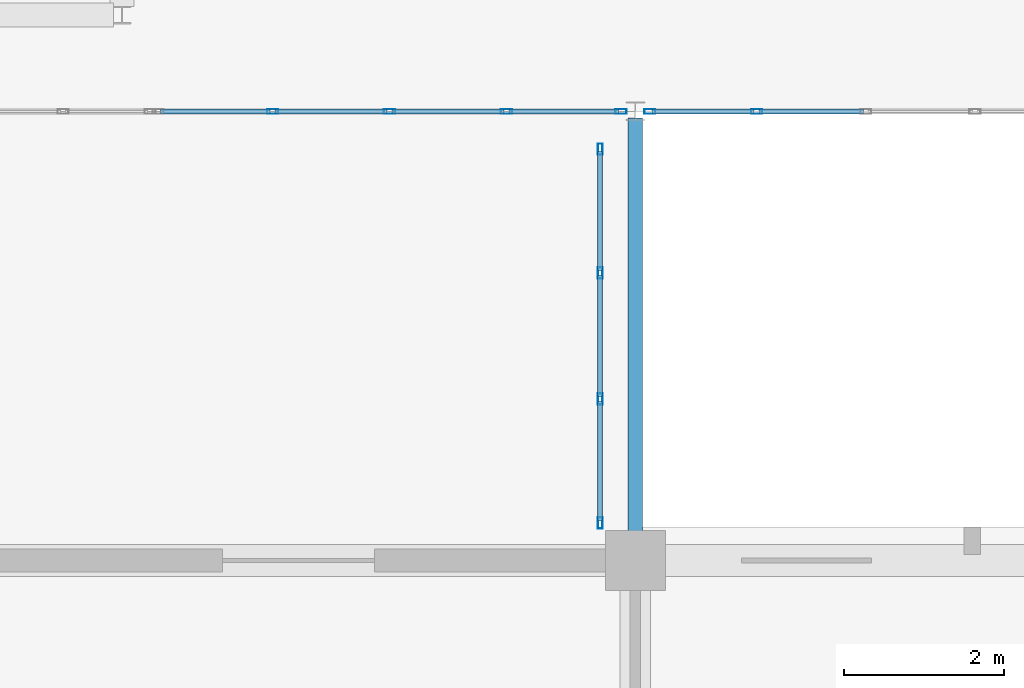
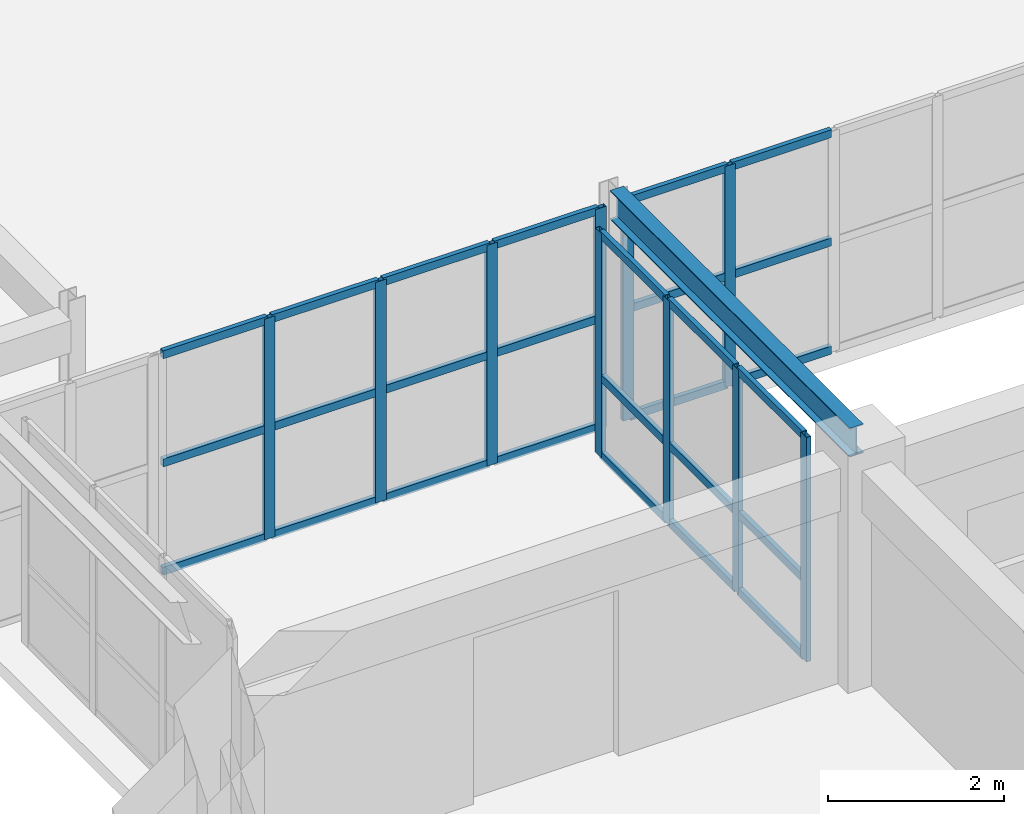
# One storey, part 47 of 200: 37 members, 1 beam, 3 elements without a shape of their own.
"""IFC4 building model written with IfcOpenShell, lengths in metres."""

from ifc_helpers import new_model, si_unit, direction, frame, origin, origin_2d, place, context, subcontext, project, spatial, hollow_rectangle, i_section, extrude, material, layer, layer_set, material_profile, profile_set, type_object, element, aggregate, save


model = new_model("IFC4")

# Units and contexts
model_context = context("Model", 3, precision=1e-05, world=origin(), true_north=direction((0.0, 1.0)))
body_context = subcontext(model_context, "Body", "Model", "MODEL_VIEW")
ifc_project = project(units=[si_unit("LENGTHUNIT", "METRE"), si_unit("AREAUNIT", "SQUARE_METRE"), si_unit("VOLUMEUNIT", "CUBIC_METRE"), si_unit("PLANEANGLEUNIT", "RADIAN"), si_unit("MASSUNIT", "GRAM", prefix="KILO")], contexts=[model_context])

# Site, building, storey
site_placement = place(None, origin())
site = spatial("IfcSite", under=ifc_project, at=site_placement, CompositionType="ELEMENT")
building_placement = place(site_placement, origin())
building = spatial("IfcBuilding", under=site, at=building_placement, Name="Trelvath General Hospital", CompositionType="ELEMENT")
storey_placement = place(building_placement, frame((0.0, 0.0, 4.800048828125)))
storey = spatial("IfcBuildingStorey", under=building, at=storey_placement, Name="L01", CompositionType="ELEMENT", Elevation=4.800048828125)

# Beam
ifc_material_1 = material(Name="Steel S355", Category="steel")
ifc_material_profile_1 = material_profile(ifc_material_1, i_section(OverallWidth=0.179931640625, OverallDepth=0.39990234375, WebThickness=0.008544921875, FlangeThickness=0.013427734375, at=origin_2d()), Name="IPE400")
ifc_profile_set_1 = profile_set([ifc_material_profile_1], Name="Steel S355")
beam_type = type_object("IfcBeamType", Name="BridgeGirder IPE400", PredefinedType="BEAM", material=ifc_profile_set_1)
beam_placement = place(storey_placement, frame((67.199951171875, 25.280029296875, 3.099853515625), z_axis=(0.0, 1.0, 0.0), x_axis=(-1.0, 0.0, 0.0)))
element("IfcBeam", 1, at=beam_placement, inside=storey, type_object=beam_type, Name="Bridge Roof Girder BRG-S-W E", PredefinedType="BEAM", context=body_context, shape_type="SweptSolid", body=[
    extrude(i_section(OverallWidth=0.179931640625, OverallDepth=0.39990234375, WebThickness=0.008544921875, FlangeThickness=0.013427734375, at=origin_2d()), origin(), (0.0, 0.0, 1.0), 5.43994140625),
])

# Curtain wall, members
ifc_material_2 = material(Name="Anodised aluminium and low-E glass", Category="aluminium")
ifc_layer_1 = layer(ifc_material_2, 0.14990234375)
ifc_layer_set_1 = layer_set([ifc_layer_1], Name="Anodised aluminium and low-E glass")
curtain_wall_type_1 = type_object("IfcCurtainWallType", Name="CW CrystalCube 583 306 15", PredefinedType="USERDEFINED", material=ifc_layer_set_1)
curtain_wall_1_placement = place(storey_placement, origin())
curtain_wall_1 = element("IfcCurtainWall", 2, at=curtain_wall_1_placement, inside=storey, type_object=curtain_wall_type_1, Name="Crystal Cube Curtain Wall CUBE-W-T0 S4 L01", ObjectType="Unitised Glazed Curtain Wall", PredefinedType="USERDEFINED")
ifc_material_3 = material(Name="Anodised aluminium", Category="aluminium")
ifc_material_profile_2 = material_profile(ifc_material_3, hollow_rectangle(XDim=0.06005859375, YDim=0.139892578125, WallThickness=0.00390625, at=origin_2d()), Name="RHS60x140x4")
ifc_profile_set_2 = profile_set([ifc_material_profile_2], Name="Anodised aluminium")
member_type_1 = type_object("IfcMemberType", Name="CurtainMullion 60x140", PredefinedType="MULLION", material=ifc_profile_set_2)
member_1_placement = place(storey_placement, frame((67.02001953125, 30.800048828125, 0.0), z_axis=(0.0, 0.0, 1.0), x_axis=(0.0, -1.0, 0.0)))
member_1 = element("IfcMember", 3, at=member_1_placement, type_object=member_type_1, Name="CW-131 mullion 1", PredefinedType="MULLION", context=body_context, shape_type="SweptSolid", body=[
    extrude(hollow_rectangle(XDim=0.06005859375, YDim=0.139892578125, WallThickness=0.00390625, at=origin_2d()), origin(), (0.0, 0.0, 1.0), 3.06005859375),
])
member_2_placement = place(storey_placement, frame((65.592529296875, 30.800048828125, 0.0), z_axis=(0.0, 0.0, 1.0), x_axis=(0.0, -1.0, 0.0)))
member_2 = element("IfcMember", 4, at=member_2_placement, type_object=member_type_1, Name="CW-131 mullion 2", PredefinedType="MULLION", context=body_context, shape_type="SweptSolid", body=[
    extrude(hollow_rectangle(XDim=0.06005859375, YDim=0.139892578125, WallThickness=0.00390625, at=origin_2d()), origin(), (0.0, 0.0, 1.0), 3.06005859375),
])
member_3_placement = place(storey_placement, frame((64.135009765625, 30.800048828125, 0.0), z_axis=(0.0, 0.0, 1.0), x_axis=(0.0, -1.0, 0.0)))
member_3 = element("IfcMember", 5, at=member_3_placement, type_object=member_type_1, Name="CW-131 mullion 3", PredefinedType="MULLION", context=body_context, shape_type="SweptSolid", body=[
    extrude(hollow_rectangle(XDim=0.06005859375, YDim=0.139892578125, WallThickness=0.00390625, at=origin_2d()), origin(), (0.0, 0.0, 1.0), 3.06005859375),
])
member_4_placement = place(storey_placement, frame((62.677490234375, 30.800048828125, 0.0), z_axis=(0.0, 0.0, 1.0), x_axis=(0.0, -1.0, 0.0)))
member_4 = element("IfcMember", 6, at=member_4_placement, type_object=member_type_1, Name="CW-131 mullion 4", PredefinedType="MULLION", context=body_context, shape_type="SweptSolid", body=[
    extrude(hollow_rectangle(XDim=0.06005859375, YDim=0.139892578125, WallThickness=0.00390625, at=origin_2d()), origin(), (0.0, 0.0, 1.0), 3.06005859375),
])

ifc_material_4 = material(Name="Anodised aluminium and low-E glass", Category="aluminium")
ifc_layer_2 = layer(ifc_material_4, 0.14990234375)
ifc_layer_set_2 = layer_set([ifc_layer_2], Name="Anodised aluminium and low-E glass")
curtain_wall_type_2 = type_object("IfcCurtainWallType", Name="CW CrystalCube 817 306 15", PredefinedType="USERDEFINED", material=ifc_layer_set_2)
curtain_wall_2_placement = place(storey_placement, origin())
curtain_wall_2 = element("IfcCurtainWall", 7, at=curtain_wall_2_placement, inside=storey, type_object=curtain_wall_type_2, Name="Crystal Cube Curtain Wall CUBE-W-T0 S5 L01", ObjectType="Unitised Glazed Curtain Wall", PredefinedType="USERDEFINED")
member_5_placement = place(storey_placement, frame((68.711669921875, 30.800048828125, 0.0), z_axis=(0.0, 0.0, 1.0), x_axis=(0.0, -1.0, 0.0)))
member_5 = element("IfcMember", 8, at=member_5_placement, type_object=member_type_1, Name="CW-132 mullion 6", PredefinedType="MULLION", context=body_context, shape_type="SweptSolid", body=[
    extrude(hollow_rectangle(XDim=0.06005859375, YDim=0.139892578125, WallThickness=0.00390625, at=origin_2d()), origin(), (0.0, 0.0, 1.0), 3.06005859375),
])
member_6_placement = place(storey_placement, frame((67.3798828125, 30.800048828125, 0.0), z_axis=(0.0, 0.0, 1.0), x_axis=(0.0, -1.0, 0.0)))
member_6 = element("IfcMember", 9, at=member_6_placement, type_object=member_type_1, Name="CW-132 mullion 7", PredefinedType="MULLION", context=body_context, shape_type="SweptSolid", body=[
    extrude(hollow_rectangle(XDim=0.06005859375, YDim=0.139892578125, WallThickness=0.00390625, at=origin_2d()), origin(), (0.0, 0.0, 1.0), 3.06005859375),
])

ifc_material_5 = material(Name="Anodised aluminium and low-E glass", Category="aluminium")
ifc_layer_3 = layer(ifc_material_5, 0.139892578125)
ifc_layer_set_3 = layer_set([ifc_layer_3], Name="Anodised aluminium and low-E glass")
curtain_wall_type_3 = type_object("IfcCurtainWallType", Name="CW Bridge 472 311", PredefinedType="USERDEFINED", material=ifc_layer_set_3)
curtain_wall_3_placement = place(storey_placement, origin())
curtain_wall_3 = element("IfcCurtainWall", 10, at=curtain_wall_3_placement, inside=storey, type_object=curtain_wall_type_3, Name="Glazed Bridge Curtain Wall BRG-S-W E L01", ObjectType="Unitised Glazed Curtain Wall", PredefinedType="USERDEFINED")
member_7_placement = place(storey_placement, frame((66.760009765625, 30.330078125, 0.0), z_axis=(0.0, 0.0, 1.0), x_axis=(1.0, 0.0, 0.0)))
member_7 = element("IfcMember", 11, at=member_7_placement, type_object=member_type_1, Name="CW-185 mullion 1", PredefinedType="MULLION", context=body_context, shape_type="SweptSolid", body=[
    extrude(hollow_rectangle(XDim=0.06005859375, YDim=0.139892578125, WallThickness=0.00390625, at=origin_2d()), origin(), (0.0, 0.0, 1.0), 3.10986328125),
])
member_8_placement = place(storey_placement, frame((66.760009765625, 28.78662109375, 0.0), z_axis=(0.0, 0.0, 1.0), x_axis=(1.0, 0.0, 0.0)))
member_8 = element("IfcMember", 12, at=member_8_placement, type_object=member_type_1, Name="CW-185 mullion 2", PredefinedType="MULLION", context=body_context, shape_type="SweptSolid", body=[
    extrude(hollow_rectangle(XDim=0.06005859375, YDim=0.139892578125, WallThickness=0.00390625, at=origin_2d()), origin(), (0.0, 0.0, 1.0), 3.10986328125),
])
member_9_placement = place(storey_placement, frame((66.760009765625, 27.21337890625, 0.0), z_axis=(0.0, 0.0, 1.0), x_axis=(1.0, 0.0, 0.0)))
member_9 = element("IfcMember", 13, at=member_9_placement, type_object=member_type_1, Name="CW-185 mullion 3", PredefinedType="MULLION", context=body_context, shape_type="SweptSolid", body=[
    extrude(hollow_rectangle(XDim=0.06005859375, YDim=0.139892578125, WallThickness=0.00390625, at=origin_2d()), origin(), (0.0, 0.0, 1.0), 3.10986328125),
])
member_10_placement = place(storey_placement, frame((66.760009765625, 25.669921875, 0.0), z_axis=(0.0, 0.0, 1.0), x_axis=(1.0, 0.0, 0.0)))
member_10 = element("IfcMember", 14, at=member_10_placement, type_object=member_type_1, Name="CW-185 mullion 4", PredefinedType="MULLION", context=body_context, shape_type="SweptSolid", body=[
    extrude(hollow_rectangle(XDim=0.06005859375, YDim=0.139892578125, WallThickness=0.00390625, at=origin_2d()), origin(), (0.0, 0.0, 1.0), 3.10986328125),
])

# Member
ifc_material_6 = material(Name="Anodised aluminium", Category="aluminium")
ifc_material_profile_3 = material_profile(ifc_material_6, hollow_rectangle(XDim=0.06005859375, YDim=0.110107421875, WallThickness=0.00390625, at=origin_2d()), Name="RHS60x110x4")
ifc_profile_set_3 = profile_set([ifc_material_profile_3], Name="Anodised aluminium")
member_type_2 = type_object("IfcMemberType", Name="CurtainTransom 60x110", PredefinedType="USERDEFINED", material=ifc_profile_set_3)
member_11_placement = place(storey_placement, frame((66.989990234375, 30.800048828125, 0.030029296875), z_axis=(-1.0, 0.0, 0.0), x_axis=(0.0, -1.0, 0.0)))
member_11 = element("IfcMember", 15, at=member_11_placement, type_object=member_type_2, Name="CW-131 transom 1.1", ObjectType="TRANSOM", PredefinedType="USERDEFINED", context=body_context, shape_type="SweptSolid", body=[
    extrude(hollow_rectangle(XDim=0.06005859375, YDim=0.110107421875, WallThickness=0.00390625, at=origin_2d()), origin(), (0.0, 0.0, 1.0), 1.367431640625),
])

member_12_placement = place(storey_placement, frame((66.989990234375, 30.800048828125, 1.530029296875), z_axis=(-1.0, 0.0, 0.0), x_axis=(0.0, -1.0, 0.0)))
member_12 = element("IfcMember", 16, at=member_12_placement, type_object=member_type_2, Name="CW-131 transom 1.2", ObjectType="TRANSOM", PredefinedType="USERDEFINED", context=body_context, shape_type="SweptSolid", body=[
    extrude(hollow_rectangle(XDim=0.06005859375, YDim=0.110107421875, WallThickness=0.00390625, at=origin_2d()), origin(), (0.0, 0.0, 1.0), 1.367431640625),
])

member_13_placement = place(storey_placement, frame((66.989990234375, 30.800048828125, 3.030029296875), z_axis=(-1.0, 0.0, 0.0), x_axis=(0.0, -1.0, 0.0)))
member_13 = element("IfcMember", 17, at=member_13_placement, type_object=member_type_2, Name="CW-131 transom 1.3", ObjectType="TRANSOM", PredefinedType="USERDEFINED", context=body_context, shape_type="SweptSolid", body=[
    extrude(hollow_rectangle(XDim=0.06005859375, YDim=0.110107421875, WallThickness=0.00390625, at=origin_2d()), origin(), (0.0, 0.0, 1.0), 1.367431640625),
])

member_14_placement = place(storey_placement, frame((65.5625, 30.800048828125, 0.030029296875), z_axis=(-1.0, 0.0, 0.0), x_axis=(0.0, -1.0, 0.0)))
member_14 = element("IfcMember", 18, at=member_14_placement, type_object=member_type_2, Name="CW-131 transom 2.1", ObjectType="TRANSOM", PredefinedType="USERDEFINED", context=body_context, shape_type="SweptSolid", body=[
    extrude(hollow_rectangle(XDim=0.06005859375, YDim=0.110107421875, WallThickness=0.00390625, at=origin_2d()), origin(), (0.0, 0.0, 1.0), 1.3974609375),
])

member_15_placement = place(storey_placement, frame((65.5625, 30.800048828125, 1.530029296875), z_axis=(-1.0, 0.0, 0.0), x_axis=(0.0, -1.0, 0.0)))
member_15 = element("IfcMember", 19, at=member_15_placement, type_object=member_type_2, Name="CW-131 transom 2.2", ObjectType="TRANSOM", PredefinedType="USERDEFINED", context=body_context, shape_type="SweptSolid", body=[
    extrude(hollow_rectangle(XDim=0.06005859375, YDim=0.110107421875, WallThickness=0.00390625, at=origin_2d()), origin(), (0.0, 0.0, 1.0), 1.3974609375),
])

member_16_placement = place(storey_placement, frame((65.5625, 30.800048828125, 3.030029296875), z_axis=(-1.0, 0.0, 0.0), x_axis=(0.0, -1.0, 0.0)))
member_16 = element("IfcMember", 20, at=member_16_placement, type_object=member_type_2, Name="CW-131 transom 2.3", ObjectType="TRANSOM", PredefinedType="USERDEFINED", context=body_context, shape_type="SweptSolid", body=[
    extrude(hollow_rectangle(XDim=0.06005859375, YDim=0.110107421875, WallThickness=0.00390625, at=origin_2d()), origin(), (0.0, 0.0, 1.0), 1.3974609375),
])

member_17_placement = place(storey_placement, frame((64.10498046875, 30.800048828125, 0.030029296875), z_axis=(-1.0, 0.0, 0.0), x_axis=(0.0, -1.0, 0.0)))
member_17 = element("IfcMember", 21, at=member_17_placement, type_object=member_type_2, Name="CW-131 transom 3.1", ObjectType="TRANSOM", PredefinedType="USERDEFINED", context=body_context, shape_type="SweptSolid", body=[
    extrude(hollow_rectangle(XDim=0.06005859375, YDim=0.110107421875, WallThickness=0.00390625, at=origin_2d()), origin(), (0.0, 0.0, 1.0), 1.3974609375),
])

member_18_placement = place(storey_placement, frame((64.10498046875, 30.800048828125, 1.530029296875), z_axis=(-1.0, 0.0, 0.0), x_axis=(0.0, -1.0, 0.0)))
member_18 = element("IfcMember", 22, at=member_18_placement, type_object=member_type_2, Name="CW-131 transom 3.2", ObjectType="TRANSOM", PredefinedType="USERDEFINED", context=body_context, shape_type="SweptSolid", body=[
    extrude(hollow_rectangle(XDim=0.06005859375, YDim=0.110107421875, WallThickness=0.00390625, at=origin_2d()), origin(), (0.0, 0.0, 1.0), 1.3974609375),
])

member_19_placement = place(storey_placement, frame((64.10498046875, 30.800048828125, 3.030029296875), z_axis=(-1.0, 0.0, 0.0), x_axis=(0.0, -1.0, 0.0)))
member_19 = element("IfcMember", 23, at=member_19_placement, type_object=member_type_2, Name="CW-131 transom 3.3", ObjectType="TRANSOM", PredefinedType="USERDEFINED", context=body_context, shape_type="SweptSolid", body=[
    extrude(hollow_rectangle(XDim=0.06005859375, YDim=0.110107421875, WallThickness=0.00390625, at=origin_2d()), origin(), (0.0, 0.0, 1.0), 1.3974609375),
])

member_20_placement = place(storey_placement, frame((62.6474609375, 30.800048828125, 0.030029296875), z_axis=(-1.0, 0.0, 0.0), x_axis=(0.0, -1.0, 0.0)))
member_20 = element("IfcMember", 24, at=member_20_placement, type_object=member_type_2, Name="CW-131 transom 4.1", ObjectType="TRANSOM", PredefinedType="USERDEFINED", context=body_context, shape_type="SweptSolid", body=[
    extrude(hollow_rectangle(XDim=0.06005859375, YDim=0.110107421875, WallThickness=0.00390625, at=origin_2d()), origin(), (0.0, 0.0, 1.0), 1.367431640625),
])

member_21_placement = place(storey_placement, frame((62.6474609375, 30.800048828125, 1.530029296875), z_axis=(-1.0, 0.0, 0.0), x_axis=(0.0, -1.0, 0.0)))
member_21 = element("IfcMember", 25, at=member_21_placement, type_object=member_type_2, Name="CW-131 transom 4.2", ObjectType="TRANSOM", PredefinedType="USERDEFINED", context=body_context, shape_type="SweptSolid", body=[
    extrude(hollow_rectangle(XDim=0.06005859375, YDim=0.110107421875, WallThickness=0.00390625, at=origin_2d()), origin(), (0.0, 0.0, 1.0), 1.367431640625),
])

member_22_placement = place(storey_placement, frame((62.6474609375, 30.800048828125, 3.030029296875), z_axis=(-1.0, 0.0, 0.0), x_axis=(0.0, -1.0, 0.0)))
member_22 = element("IfcMember", 26, at=member_22_placement, type_object=member_type_2, Name="CW-131 transom 4.3", ObjectType="TRANSOM", PredefinedType="USERDEFINED", context=body_context, shape_type="SweptSolid", body=[
    extrude(hollow_rectangle(XDim=0.06005859375, YDim=0.110107421875, WallThickness=0.00390625, at=origin_2d()), origin(), (0.0, 0.0, 1.0), 1.367431640625),
])

aggregate(curtain_wall_1, [member_1, member_2, member_3, member_4, member_11, member_12, member_13, member_14, member_15, member_16, member_17, member_18, member_19, member_20, member_21, member_22])

member_23_placement = place(storey_placement, frame((70.043212890625, 30.800048828125, 0.030029296875), z_axis=(-1.0, 0.0, 0.0), x_axis=(0.0, -1.0, 0.0)))
member_23 = element("IfcMember", 27, at=member_23_placement, type_object=member_type_2, Name="CW-132 transom 5.1", ObjectType="TRANSOM", PredefinedType="USERDEFINED", context=body_context, shape_type="SweptSolid", body=[
    extrude(hollow_rectangle(XDim=0.06005859375, YDim=0.110107421875, WallThickness=0.00390625, at=origin_2d()), origin(), (0.0, 0.0, 1.0), 1.301513671875),
])

member_24_placement = place(storey_placement, frame((70.043212890625, 30.800048828125, 1.530029296875), z_axis=(-1.0, 0.0, 0.0), x_axis=(0.0, -1.0, 0.0)))
member_24 = element("IfcMember", 28, at=member_24_placement, type_object=member_type_2, Name="CW-132 transom 5.2", ObjectType="TRANSOM", PredefinedType="USERDEFINED", context=body_context, shape_type="SweptSolid", body=[
    extrude(hollow_rectangle(XDim=0.06005859375, YDim=0.110107421875, WallThickness=0.00390625, at=origin_2d()), origin(), (0.0, 0.0, 1.0), 1.301513671875),
])

member_25_placement = place(storey_placement, frame((70.043212890625, 30.800048828125, 3.030029296875), z_axis=(-1.0, 0.0, 0.0), x_axis=(0.0, -1.0, 0.0)))
member_25 = element("IfcMember", 29, at=member_25_placement, type_object=member_type_2, Name="CW-132 transom 5.3", ObjectType="TRANSOM", PredefinedType="USERDEFINED", context=body_context, shape_type="SweptSolid", body=[
    extrude(hollow_rectangle(XDim=0.06005859375, YDim=0.110107421875, WallThickness=0.00390625, at=origin_2d()), origin(), (0.0, 0.0, 1.0), 1.301513671875),
])

member_26_placement = place(storey_placement, frame((68.681640625, 30.800048828125, 0.030029296875), z_axis=(-1.0, 0.0, 0.0), x_axis=(0.0, -1.0, 0.0)))
member_26 = element("IfcMember", 30, at=member_26_placement, type_object=member_type_2, Name="CW-132 transom 6.1", ObjectType="TRANSOM", PredefinedType="USERDEFINED", context=body_context, shape_type="SweptSolid", body=[
    extrude(hollow_rectangle(XDim=0.06005859375, YDim=0.110107421875, WallThickness=0.00390625, at=origin_2d()), origin(), (0.0, 0.0, 1.0), 1.271728515625),
])

member_27_placement = place(storey_placement, frame((68.681640625, 30.800048828125, 1.530029296875), z_axis=(-1.0, 0.0, 0.0), x_axis=(0.0, -1.0, 0.0)))
member_27 = element("IfcMember", 31, at=member_27_placement, type_object=member_type_2, Name="CW-132 transom 6.2", ObjectType="TRANSOM", PredefinedType="USERDEFINED", context=body_context, shape_type="SweptSolid", body=[
    extrude(hollow_rectangle(XDim=0.06005859375, YDim=0.110107421875, WallThickness=0.00390625, at=origin_2d()), origin(), (0.0, 0.0, 1.0), 1.271728515625),
])

member_28_placement = place(storey_placement, frame((68.681640625, 30.800048828125, 3.030029296875), z_axis=(-1.0, 0.0, 0.0), x_axis=(0.0, -1.0, 0.0)))
member_28 = element("IfcMember", 32, at=member_28_placement, type_object=member_type_2, Name="CW-132 transom 6.3", ObjectType="TRANSOM", PredefinedType="USERDEFINED", context=body_context, shape_type="SweptSolid", body=[
    extrude(hollow_rectangle(XDim=0.06005859375, YDim=0.110107421875, WallThickness=0.00390625, at=origin_2d()), origin(), (0.0, 0.0, 1.0), 1.271728515625),
])

aggregate(curtain_wall_2, [member_5, member_6, member_23, member_24, member_25, member_26, member_27, member_28])

member_29_placement = place(storey_placement, frame((66.760009765625, 30.300048828125, 0.030029296875), z_axis=(0.0, -1.0, 0.0), x_axis=(1.0, 0.0, 0.0)))
member_29 = element("IfcMember", 33, at=member_29_placement, type_object=member_type_2, Name="CW-185 transom 1.1", ObjectType="TRANSOM", PredefinedType="USERDEFINED", context=body_context, shape_type="SweptSolid", body=[
    extrude(hollow_rectangle(XDim=0.06005859375, YDim=0.110107421875, WallThickness=0.00390625, at=origin_2d()), origin(), (0.0, 0.0, 1.0), 1.4833984375),
])

member_30_placement = place(storey_placement, frame((66.760009765625, 30.300048828125, 1.099853515625), z_axis=(0.0, -1.0, 0.0), x_axis=(1.0, 0.0, 0.0)))
member_30 = element("IfcMember", 34, at=member_30_placement, type_object=member_type_2, Name="CW-185 transom 1.2", ObjectType="TRANSOM", PredefinedType="USERDEFINED", context=body_context, shape_type="SweptSolid", body=[
    extrude(hollow_rectangle(XDim=0.06005859375, YDim=0.110107421875, WallThickness=0.00390625, at=origin_2d()), origin(), (0.0, 0.0, 1.0), 1.4833984375),
])

member_31_placement = place(storey_placement, frame((66.760009765625, 30.300048828125, 3.079833984375), z_axis=(0.0, -1.0, 0.0), x_axis=(1.0, 0.0, 0.0)))
member_31 = element("IfcMember", 35, at=member_31_placement, type_object=member_type_2, Name="CW-185 transom 1.3", ObjectType="TRANSOM", PredefinedType="USERDEFINED", context=body_context, shape_type="SweptSolid", body=[
    extrude(hollow_rectangle(XDim=0.06005859375, YDim=0.110107421875, WallThickness=0.00390625, at=origin_2d()), origin(), (0.0, 0.0, 1.0), 1.4833984375),
])

member_32_placement = place(storey_placement, frame((66.760009765625, 28.756591796875, 0.030029296875), z_axis=(0.0, -1.0, 0.0), x_axis=(1.0, 0.0, 0.0)))
member_32 = element("IfcMember", 36, at=member_32_placement, type_object=member_type_2, Name="CW-185 transom 2.1", ObjectType="TRANSOM", PredefinedType="USERDEFINED", context=body_context, shape_type="SweptSolid", body=[
    extrude(hollow_rectangle(XDim=0.06005859375, YDim=0.110107421875, WallThickness=0.00390625, at=origin_2d()), origin(), (0.0, 0.0, 1.0), 1.51318359375),
])

member_33_placement = place(storey_placement, frame((66.760009765625, 28.756591796875, 1.099853515625), z_axis=(0.0, -1.0, 0.0), x_axis=(1.0, 0.0, 0.0)))
member_33 = element("IfcMember", 37, at=member_33_placement, type_object=member_type_2, Name="CW-185 transom 2.2", ObjectType="TRANSOM", PredefinedType="USERDEFINED", context=body_context, shape_type="SweptSolid", body=[
    extrude(hollow_rectangle(XDim=0.06005859375, YDim=0.110107421875, WallThickness=0.00390625, at=origin_2d()), origin(), (0.0, 0.0, 1.0), 1.51318359375),
])

member_34_placement = place(storey_placement, frame((66.760009765625, 28.756591796875, 3.079833984375), z_axis=(0.0, -1.0, 0.0), x_axis=(1.0, 0.0, 0.0)))
member_34 = element("IfcMember", 38, at=member_34_placement, type_object=member_type_2, Name="CW-185 transom 2.3", ObjectType="TRANSOM", PredefinedType="USERDEFINED", context=body_context, shape_type="SweptSolid", body=[
    extrude(hollow_rectangle(XDim=0.06005859375, YDim=0.110107421875, WallThickness=0.00390625, at=origin_2d()), origin(), (0.0, 0.0, 1.0), 1.51318359375),
])

member_35_placement = place(storey_placement, frame((66.760009765625, 27.183349609375, 0.030029296875), z_axis=(0.0, -1.0, 0.0), x_axis=(1.0, 0.0, 0.0)))
member_35 = element("IfcMember", 39, at=member_35_placement, type_object=member_type_2, Name="CW-185 transom 3.1", ObjectType="TRANSOM", PredefinedType="USERDEFINED", context=body_context, shape_type="SweptSolid", body=[
    extrude(hollow_rectangle(XDim=0.06005859375, YDim=0.110107421875, WallThickness=0.00390625, at=origin_2d()), origin(), (0.0, 0.0, 1.0), 1.4833984375),
])

member_36_placement = place(storey_placement, frame((66.760009765625, 27.183349609375, 1.099853515625), z_axis=(0.0, -1.0, 0.0), x_axis=(1.0, 0.0, 0.0)))
member_36 = element("IfcMember", 40, at=member_36_placement, type_object=member_type_2, Name="CW-185 transom 3.2", ObjectType="TRANSOM", PredefinedType="USERDEFINED", context=body_context, shape_type="SweptSolid", body=[
    extrude(hollow_rectangle(XDim=0.06005859375, YDim=0.110107421875, WallThickness=0.00390625, at=origin_2d()), origin(), (0.0, 0.0, 1.0), 1.4833984375),
])

member_37_placement = place(storey_placement, frame((66.760009765625, 27.183349609375, 3.079833984375), z_axis=(0.0, -1.0, 0.0), x_axis=(1.0, 0.0, 0.0)))
member_37 = element("IfcMember", 41, at=member_37_placement, type_object=member_type_2, Name="CW-185 transom 3.3", ObjectType="TRANSOM", PredefinedType="USERDEFINED", context=body_context, shape_type="SweptSolid", body=[
    extrude(hollow_rectangle(XDim=0.06005859375, YDim=0.110107421875, WallThickness=0.00390625, at=origin_2d()), origin(), (0.0, 0.0, 1.0), 1.4833984375),
])

aggregate(curtain_wall_3, [member_7, member_8, member_9, member_10, member_29, member_30, member_31, member_32, member_33, member_34, member_35, member_36, member_37])

save(model, "model.ifc")
